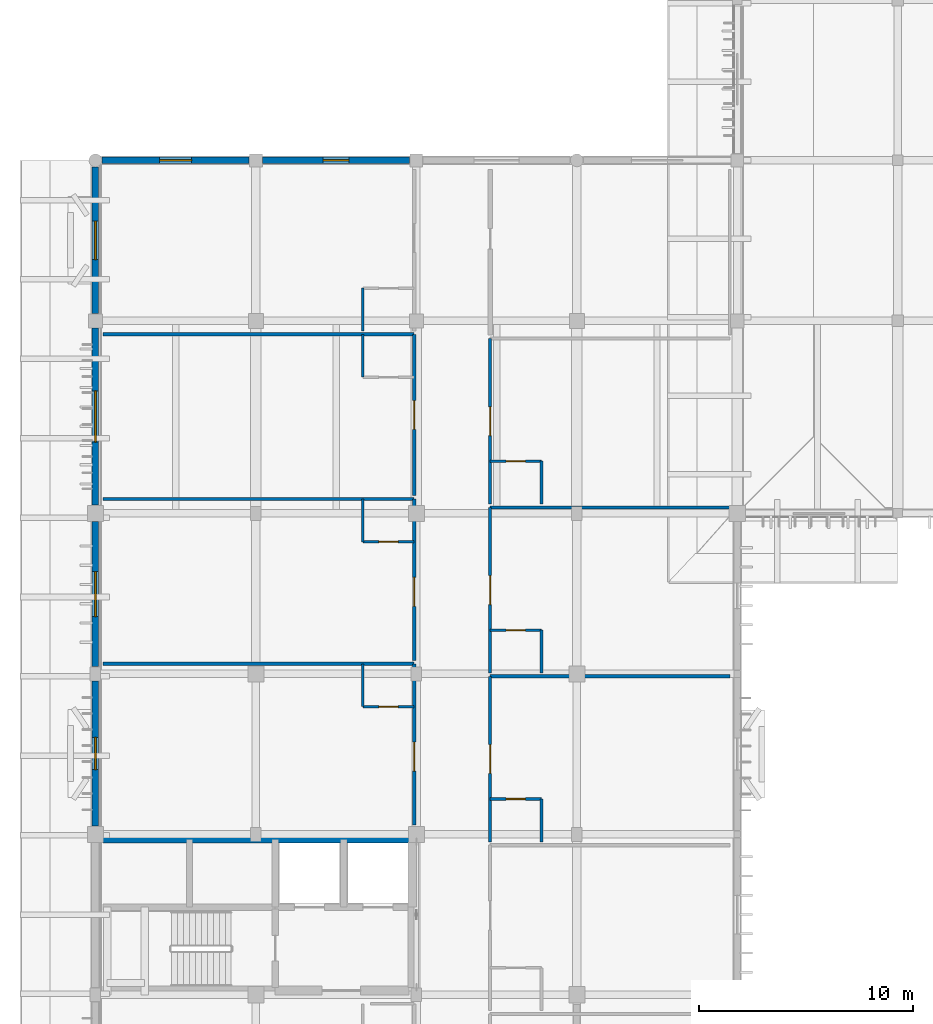
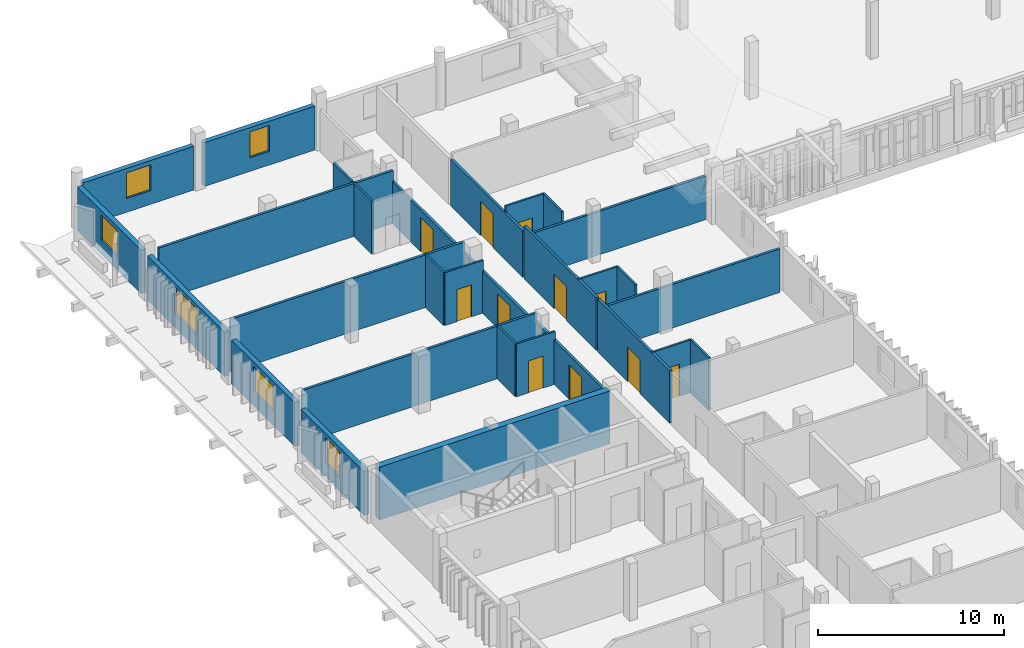
# One storey, part 20 of 43: 30 walls, 11 doors, 6 windows, 17 openings.
"""IFC4 building model written with IfcOpenShell, lengths in metres."""

from ifc_helpers import new_model, si_unit, direction, frame, frame_2d, origin, place, context, subcontext, project, spatial, rectangle, extrude, material, layer, layer_set, type_object, element, fill, save


model = new_model("IFC4")

# Units and contexts
model_context = context("Model", 3, precision=1e-05, world=origin(), true_north=direction((0.0, 1.0)))
body_context = subcontext(model_context, "Body", "Model", "MODEL_VIEW")
ifc_project = project(units=[si_unit("LENGTHUNIT", "METRE"), si_unit("AREAUNIT", "SQUARE_METRE"), si_unit("VOLUMEUNIT", "CUBIC_METRE"), si_unit("PLANEANGLEUNIT", "RADIAN"), si_unit("MASSUNIT", "GRAM", prefix="KILO")], contexts=[model_context])

# Site, building, storey
site_placement = place(None, origin())
site = spatial("IfcSite", under=ifc_project, at=site_placement, CompositionType="ELEMENT")
building_placement = place(site_placement, origin())
building = spatial("IfcBuilding", under=site, at=building_placement, Name="Dalvernix Boulevard General Hospital", CompositionType="ELEMENT")
storey_placement = place(building_placement, frame((0.0, 0.0, 14.10009765625)))
storey = spatial("IfcBuildingStorey", under=building, at=storey_placement, Name="L03", CompositionType="ELEMENT", Elevation=14.10009765625)

# Wall
ifc_material_1 = material(Name="Concrete C40/50", Category="concrete")
ifc_layer_1 = layer(ifc_material_1, 0.39990234375)
ifc_layer_set_1 = layer_set([ifc_layer_1], Name="Concrete C40/50 (WAL-CSW-01)")
wall_type_1 = type_object("IfcWallType", Name="WAL-CSW-01", PredefinedType="SHEAR", material=ifc_layer_set_1)
wall_1_placement = place(storey_placement, frame((0.35009765625, 61.300048828125, 0.0), z_axis=(0.0, 0.0, 1.0), x_axis=(1.0, 0.0, 0.0)))
element("IfcWall", 1, at=wall_1_placement, inside=storey, type_object=wall_type_1, Name="L03 C2 north shaft core wall", PredefinedType="SHEAR", context=body_context, shape_type="SweptSolid", body=[
    extrude(rectangle(XDim=14.2998046875, YDim=0.39990234375, at=frame_2d((7.14990234375, 0.0))), origin(), (0.0, 0.0, 1.0), 3.469970703125),
])

# Wall, opening, window
ifc_material_2 = material(Name="Pressed Catalan clay brick and ceramic spandrel wall C35/45", Category="masonry")
ifc_layer_2 = layer(ifc_material_2, 0.300048828125)
ifc_layer_set_2 = layer_set([ifc_layer_2], Name="Pressed Catalan clay brick and ceramic spandrel wall C35/45 (WAL-EW-02)")
wall_type_2 = type_object("IfcWallType", Name="WAL-EW-02", PredefinedType="STANDARD", material=ifc_layer_set_2)
wall_2_placement = place(storey_placement, frame((0.0, 61.885009765625, 0.0), z_axis=(0.0, 0.0, 1.0), x_axis=(0.0, 1.0, 0.0)))
wall_2 = element("IfcWall", 2, at=wall_2_placement, inside=storey, type_object=wall_type_2, Name="L03 Catalan brick external wall W 0-8", PredefinedType="STANDARD", context=body_context, shape_type="SweptSolid", body=[
    extrude(rectangle(XDim=6.780029296875, YDim=0.300048828125, at=frame_2d((3.39013671875, 0.0))), origin(), (0.0, 0.0, 1.0), 2.869873046875),
])
opening_1_placement = place(wall_2_placement, frame((2.639892578125, 0.0, 0.89990234375)))
opening_1 = element("IfcOpeningElement", 3, at=opening_1_placement, cuts=wall_2, Name="Opening WN-02", PredefinedType="OPENING", context=body_context, shape_type="SweptSolid", body=[
    extrude(rectangle(XDim=1.5, YDim=1.68994140625, at=frame_2d((0.75, 0.844970703125))), frame((0.0, 0.159912109375, 0.0), z_axis=(0.0, -1.0, 0.0), x_axis=(1.0, 0.0, 0.0)), (0.0, 0.0, 1.0), 0.320068359375),
])
ifc_material_3 = material(Name="Thermally broken aluminium frame with solar-control double glazing", Category="aluminium")
window_type_1 = type_object("IfcWindowType", Name="WIN-WN-02", PartitioningType="SINGLE_PANEL", PredefinedType="WINDOW", material=ifc_material_3)
window_1_placement = place(opening_1_placement, origin())
window_1 = element("IfcWindow", 4, at=window_1_placement, inside=storey, type_object=window_type_1, Name="L03 clinical window WN-02 W 0-8", OverallHeight=1.68994140625, OverallWidth=1.5, PartitioningType="SINGLE_PANEL", PredefinedType="WINDOW", context=body_context, shape_type="SweptSolid", body=[
    extrude(rectangle(XDim=1.5, YDim=1.68994140625, at=frame_2d((0.75, 0.844970703125))), frame((0.0, 0.030029296875, 0.0), z_axis=(0.0, -1.0, 0.0), x_axis=(1.0, 0.0, 0.0)), (0.0, 0.0, 1.0), 0.06005859375),
])
fill(opening_1, window_1)

wall_3_placement = place(storey_placement, frame((0.0, 69.3349609375, 0.0), z_axis=(0.0, 0.0, 1.0), x_axis=(0.0, 1.0, 0.0)))
wall_3 = element("IfcWall", 5, at=wall_3_placement, inside=storey, type_object=wall_type_2, Name="L03 Catalan brick external wall W 0-9", PredefinedType="STANDARD", context=body_context, shape_type="SweptSolid", body=[
    extrude(rectangle(XDim=6.780029296875, YDim=0.300048828125, at=frame_2d((3.39013671875, 0.0))), origin(), (0.0, 0.0, 1.0), 2.869873046875),
])
opening_2_placement = place(wall_3_placement, frame((2.340087890625, 0.0, 0.89990234375)))
opening_2 = element("IfcOpeningElement", 6, at=opening_2_placement, cuts=wall_3, Name="Opening WN-03", PredefinedType="OPENING", context=body_context, shape_type="SweptSolid", body=[
    extrude(rectangle(XDim=2.10009765625, YDim=1.68994140625, at=frame_2d((1.050048828125, 0.844970703125))), frame((0.0, 0.159912109375, 0.0), z_axis=(0.0, -1.0, 0.0), x_axis=(1.0, 0.0, 0.0)), (0.0, 0.0, 1.0), 0.320068359375),
])
window_type_2 = type_object("IfcWindowType", Name="WIN-WN-03", PartitioningType="SINGLE_PANEL", PredefinedType="WINDOW", material=ifc_material_3)
window_2_placement = place(opening_2_placement, origin())
window_2 = element("IfcWindow", 7, at=window_2_placement, inside=storey, type_object=window_type_2, Name="L03 clinical window WN-03 W 0-9", OverallHeight=1.68994140625, OverallWidth=2.10009765625, PartitioningType="SINGLE_PANEL", PredefinedType="WINDOW", context=body_context, shape_type="SweptSolid", body=[
    extrude(rectangle(XDim=2.10009765625, YDim=1.68994140625, at=frame_2d((1.050048828125, 0.844970703125))), frame((0.0, 0.030029296875, 0.0), z_axis=(0.0, -1.0, 0.0), x_axis=(1.0, 0.0, 0.0)), (0.0, 0.0, 1.0), 0.06005859375),
])
fill(opening_2, window_2)

wall_4_placement = place(storey_placement, frame((0.0, 76.885009765625, 0.0), z_axis=(0.0, 0.0, 1.0), x_axis=(0.0, 1.0, 0.0)))
wall_4 = element("IfcWall", 8, at=wall_4_placement, inside=storey, type_object=wall_type_2, Name="L03 Catalan brick external wall W 0-10", PredefinedType="STANDARD", context=body_context, shape_type="SweptSolid", body=[
    extrude(rectangle(XDim=8.280029296875, YDim=0.300048828125, at=frame_2d((4.14013671875, 0.0))), origin(), (0.0, 0.0, 1.0), 2.919921875),
])
opening_3_placement = place(wall_4_placement, frame((2.93994140625, 0.0, 0.89990234375)))
opening_3 = element("IfcOpeningElement", 9, at=opening_3_placement, cuts=wall_4, Name="Opening WN-04", PredefinedType="OPENING", context=body_context, shape_type="SweptSolid", body=[
    extrude(rectangle(XDim=2.39990234375, YDim=1.739990234375, at=frame_2d((1.199951171875, 0.8701171875))), frame((0.0, 0.159912109375, 0.0), z_axis=(0.0, -1.0, 0.0), x_axis=(1.0, 0.0, 0.0)), (0.0, 0.0, 1.0), 0.320068359375),
])
window_type_3 = type_object("IfcWindowType", Name="WIN-WN-04", PartitioningType="SINGLE_PANEL", PredefinedType="WINDOW", material=ifc_material_3)
window_3_placement = place(opening_3_placement, origin())
window_3 = element("IfcWindow", 10, at=window_3_placement, inside=storey, type_object=window_type_3, Name="L03 clinical window WN-04 W 0-10", OverallHeight=1.739990234375, OverallWidth=2.39990234375, PartitioningType="SINGLE_PANEL", PredefinedType="WINDOW", context=body_context, shape_type="SweptSolid", body=[
    extrude(rectangle(XDim=2.39990234375, YDim=1.739990234375, at=frame_2d((1.199951171875, 0.8701171875))), frame((0.0, 0.030029296875, 0.0), z_axis=(0.0, -1.0, 0.0), x_axis=(1.0, 0.0, 0.0)), (0.0, 0.0, 1.0), 0.06005859375),
])
fill(opening_3, window_3)

wall_5_placement = place(storey_placement, frame((0.31005859375, 93.0, 0.0), z_axis=(0.0, 0.0, 1.0), x_axis=(1.0, 0.0, 0.0)))
wall_5 = element("IfcWall", 11, at=wall_5_placement, inside=storey, type_object=wall_type_2, Name="L03 Catalan brick external wall N 0-12", PredefinedType="STANDARD", context=body_context, shape_type="SweptSolid", body=[
    extrude(rectangle(XDim=6.8798828125, YDim=0.300048828125, at=frame_2d((3.43994140625, 0.0))), origin(), (0.0, 0.0, 1.0), 2.869873046875),
])
opening_4_placement = place(wall_5_placement, frame((2.68994140625, 0.0, 0.89990234375)))
opening_4 = element("IfcOpeningElement", 12, at=opening_4_placement, cuts=wall_5, Name="Opening WN-06", PredefinedType="OPENING", context=body_context, shape_type="SweptSolid", body=[
    extrude(rectangle(XDim=1.5, YDim=1.68994140625, at=frame_2d((0.75, 0.844970703125))), frame((0.0, 0.159912109375, 0.0), z_axis=(0.0, -1.0, 0.0), x_axis=(1.0, 0.0, 0.0)), (0.0, 0.0, 1.0), 0.320068359375),
])
window_type_4 = type_object("IfcWindowType", Name="WIN-WN-06", PartitioningType="SINGLE_PANEL", PredefinedType="WINDOW", material=ifc_material_3)
window_4_placement = place(opening_4_placement, origin())
window_4 = element("IfcWindow", 13, at=window_4_placement, inside=storey, type_object=window_type_4, Name="L03 clinical window WN-06 N 0-12", OverallHeight=1.68994140625, OverallWidth=1.5, PartitioningType="SINGLE_PANEL", PredefinedType="WINDOW", context=body_context, shape_type="SweptSolid", body=[
    extrude(rectangle(XDim=1.5, YDim=1.68994140625, at=frame_2d((0.75, 0.844970703125))), frame((0.0, 0.030029296875, 0.0), z_axis=(0.0, -1.0, 0.0), x_axis=(1.0, 0.0, 0.0)), (0.0, 0.0, 1.0), 0.06005859375),
])
fill(opening_4, window_4)

wall_6_placement = place(storey_placement, frame((0.0, 85.8349609375, 0.0), z_axis=(0.0, 0.0, 1.0), x_axis=(0.0, 1.0, 0.0)))
wall_6 = element("IfcWall", 14, at=wall_6_placement, inside=storey, type_object=wall_type_2, Name="L03 Catalan brick external wall W 0-11", PredefinedType="STANDARD", context=body_context, shape_type="SweptSolid", body=[
    extrude(rectangle(XDim=6.85498046875, YDim=0.300048828125, at=frame_2d((3.427490234375, 0.0))), origin(), (0.0, 0.0, 1.0), 2.869873046875),
])
opening_5_placement = place(wall_6_placement, frame((2.527587890625, 0.0, 0.89990234375)))
opening_5 = element("IfcOpeningElement", 15, at=opening_5_placement, cuts=wall_6, Name="Opening WN-05", PredefinedType="OPENING", context=body_context, shape_type="SweptSolid", body=[
    extrude(rectangle(XDim=1.800048828125, YDim=1.68994140625, at=frame_2d((0.89990234375, 0.844970703125))), frame((0.0, 0.159912109375, 0.0), z_axis=(0.0, -1.0, 0.0), x_axis=(1.0, 0.0, 0.0)), (0.0, 0.0, 1.0), 0.320068359375),
])
window_type_5 = type_object("IfcWindowType", Name="WIN-WN-05", PartitioningType="SINGLE_PANEL", PredefinedType="WINDOW", material=ifc_material_3)
window_5_placement = place(opening_5_placement, origin())
window_5 = element("IfcWindow", 16, at=window_5_placement, inside=storey, type_object=window_type_5, Name="L03 clinical window WN-05 W 0-11", OverallHeight=1.68994140625, OverallWidth=1.800048828125, PartitioningType="SINGLE_PANEL", PredefinedType="WINDOW", context=body_context, shape_type="SweptSolid", body=[
    extrude(rectangle(XDim=1.800048828125, YDim=1.68994140625, at=frame_2d((0.89990234375, 0.844970703125))), frame((0.0, 0.030029296875, 0.0), z_axis=(0.0, -1.0, 0.0), x_axis=(1.0, 0.0, 0.0)), (0.0, 0.0, 1.0), 0.06005859375),
])
fill(opening_5, window_5)

wall_7_placement = place(storey_placement, frame((7.81005859375, 93.0, 0.0), z_axis=(0.0, 0.0, 1.0), x_axis=(1.0, 0.0, 0.0)))
wall_7 = element("IfcWall", 17, at=wall_7_placement, inside=storey, type_object=wall_type_2, Name="L03 Catalan brick external wall N 1-12", PredefinedType="STANDARD", context=body_context, shape_type="SweptSolid", body=[
    extrude(rectangle(XDim=6.8798828125, YDim=0.300048828125, at=frame_2d((3.43994140625, 0.0))), origin(), (0.0, 0.0, 1.0), 2.869873046875),
])
opening_6_placement = place(wall_7_placement, frame((2.840087890625, 0.0, 0.89990234375)))
opening_6 = element("IfcOpeningElement", 18, at=opening_6_placement, cuts=wall_7, Name="Opening WN-07", PredefinedType="OPENING", context=body_context, shape_type="SweptSolid", body=[
    extrude(rectangle(XDim=1.199951171875, YDim=1.68994140625, at=frame_2d((0.60009765625, 0.844970703125))), frame((0.0, 0.159912109375, 0.0), z_axis=(0.0, -1.0, 0.0), x_axis=(1.0, 0.0, 0.0)), (0.0, 0.0, 1.0), 0.320068359375),
])
window_type_6 = type_object("IfcWindowType", Name="WIN-WN-07", PartitioningType="SINGLE_PANEL", PredefinedType="WINDOW", material=ifc_material_3)
window_6_placement = place(opening_6_placement, origin())
window_6 = element("IfcWindow", 19, at=window_6_placement, inside=storey, type_object=window_type_6, Name="L03 clinical window WN-07 N 1-12", OverallHeight=1.68994140625, OverallWidth=1.199951171875, PartitioningType="SINGLE_PANEL", PredefinedType="WINDOW", context=body_context, shape_type="SweptSolid", body=[
    extrude(rectangle(XDim=1.199951171875, YDim=1.68994140625, at=frame_2d((0.60009765625, 0.844970703125))), frame((0.0, 0.030029296875, 0.0), z_axis=(0.0, -1.0, 0.0), x_axis=(1.0, 0.0, 0.0)), (0.0, 0.0, 1.0), 0.06005859375),
])
fill(opening_6, window_6)

# Wall, opening, door
ifc_material_4 = material(Name="Acoustic double-stud gypsum inpatient partition")
ifc_layer_3 = layer(ifc_material_4, 0.14990234375)
ifc_layer_set_3 = layer_set([ifc_layer_3], Name="Acoustic double-stud gypsum inpatient partition (WAL-IW-04)")
wall_type_3 = type_object("IfcWallType", Name="WAL-IW-04", PredefinedType="PARTITIONING", material=ifc_layer_set_3)
wall_8_placement = place(storey_placement, frame((14.89990234375, 61.929931640625, 0.0), z_axis=(0.0, 0.0, 1.0), x_axis=(0.0, 1.0, 0.0)))
wall_8 = element("IfcWall", 20, at=wall_8_placement, inside=storey, type_object=wall_type_3, Name="L03 Cardiology Step-Down Patient Room L03-W08 corridor wall", PredefinedType="PARTITIONING", context=body_context, shape_type="SweptSolid", body=[
    extrude(rectangle(XDim=7.5400390625, YDim=0.14990234375, at=frame_2d((3.77001953125, 0.0))), origin(), (0.0, 0.0, 1.0), 2.90478515625),
])
opening_7_placement = place(wall_8_placement, frame((2.52587890625, 0.0, 0.0)))
opening_7 = element("IfcOpeningElement", 21, at=opening_7_placement, cuts=wall_8, Name="Opening ID-01", PredefinedType="OPENING", context=body_context, shape_type="SweptSolid", body=[
    extrude(rectangle(XDim=1.35009765625, YDim=2.25, at=frame_2d((0.675048828125, 1.125))), frame((0.0, 0.0849609375, 0.0), z_axis=(0.0, -1.0, 0.0), x_axis=(1.0, 0.0, 0.0)), (0.0, 0.0, 1.0), 0.169921875),
])
ifc_material_5 = material(Name="Hospital laminate acoustic timber and steel frame", Category="steel")
door_type_1 = type_object("IfcDoorType", Name="DR-ID-01", OperationType="NOTDEFINED", PredefinedType="DOOR", material=ifc_material_5)
door_1_placement = place(opening_7_placement, origin())
door_1 = element("IfcDoor", 22, at=door_1_placement, inside=storey, type_object=door_type_1, Name="L03 Cardiology Step-Down Patient Room L03-W08 door", OperationType="SINGLE_SWING_RIGHT", OverallHeight=2.25, OverallWidth=1.35009765625, PredefinedType="DOOR", context=body_context, shape_type="SweptSolid", body=[
    extrude(rectangle(XDim=1.35009765625, YDim=2.25, at=frame_2d((0.675048828125, 1.125))), frame((0.0, 0.02490234375, 0.0), z_axis=(0.0, -1.0, 0.0), x_axis=(1.0, 0.0, 0.0)), (0.0, 0.0, 1.0), 0.050048828125),
])
fill(opening_7, door_1)

wall_9_placement = place(storey_placement, frame((14.89990234375, 69.6298828125, 0.0), z_axis=(0.0, 0.0, 1.0), x_axis=(0.0, 1.0, 0.0)))
wall_9 = element("IfcWall", 23, at=wall_9_placement, inside=storey, type_object=wall_type_3, Name="L03 Telemetry Ward Bay L03-W09 corridor wall", PredefinedType="PARTITIONING", context=body_context, shape_type="SweptSolid", body=[
    extrude(rectangle(XDim=7.5400390625, YDim=0.14990234375, at=frame_2d((3.77001953125, 0.0))), origin(), (0.0, 0.0, 1.0), 2.7548828125),
])
opening_8_placement = place(wall_9_placement, frame((2.52587890625, 0.0, 0.0)))
opening_8 = element("IfcOpeningElement", 24, at=opening_8_placement, cuts=wall_9, Name="Opening ID-01", PredefinedType="OPENING", context=body_context, shape_type="SweptSolid", body=[
    extrude(rectangle(XDim=1.35009765625, YDim=2.25, at=frame_2d((0.675048828125, 1.125))), frame((0.0, 0.0849609375, 0.0), z_axis=(0.0, -1.0, 0.0), x_axis=(1.0, 0.0, 0.0)), (0.0, 0.0, 1.0), 0.169921875),
])
door_2_placement = place(opening_8_placement, origin())
door_2 = element("IfcDoor", 25, at=door_2_placement, inside=storey, type_object=door_type_1, Name="L03 Telemetry Ward Bay L03-W09 door", OperationType="SINGLE_SWING_RIGHT", OverallHeight=2.25, OverallWidth=1.35009765625, PredefinedType="DOOR", context=body_context, shape_type="SweptSolid", body=[
    extrude(rectangle(XDim=1.35009765625, YDim=2.25, at=frame_2d((0.675048828125, 1.125))), frame((0.0, 0.02490234375, 0.0), z_axis=(0.0, -1.0, 0.0), x_axis=(1.0, 0.0, 0.0)), (0.0, 0.0, 1.0), 0.050048828125),
])
fill(opening_8, door_2)

wall_10_placement = place(storey_placement, frame((14.89990234375, 77.330078125, 0.0), z_axis=(0.0, 0.0, 1.0), x_axis=(0.0, 1.0, 0.0)))
wall_10 = element("IfcWall", 26, at=wall_10_placement, inside=storey, type_object=wall_type_3, Name="L03 Cardiology Step-Down Patient Room L03-W10 corridor wall", PredefinedType="PARTITIONING", context=body_context, shape_type="SweptSolid", body=[
    extrude(rectangle(XDim=7.5400390625, YDim=0.14990234375, at=frame_2d((3.77001953125, 0.0))), origin(), (0.0, 0.0, 1.0), 2.7548828125),
])
opening_9_placement = place(wall_10_placement, frame((3.094970703125, 0.0, 0.0)))
opening_9 = element("IfcOpeningElement", 27, at=opening_9_placement, cuts=wall_10, Name="Opening ID-01", PredefinedType="OPENING", context=body_context, shape_type="SweptSolid", body=[
    extrude(rectangle(XDim=1.35009765625, YDim=2.25, at=frame_2d((0.675048828125, 1.125))), frame((0.0, 0.0849609375, 0.0), z_axis=(0.0, -1.0, 0.0), x_axis=(1.0, 0.0, 0.0)), (0.0, 0.0, 1.0), 0.169921875),
])
door_3_placement = place(opening_9_placement, origin())
door_3 = element("IfcDoor", 28, at=door_3_placement, inside=storey, type_object=door_type_1, Name="L03 Cardiology Step-Down Patient Room L03-W10 door", OperationType="SINGLE_SWING_RIGHT", OverallHeight=2.25, OverallWidth=1.35009765625, PredefinedType="DOOR", context=body_context, shape_type="SweptSolid", body=[
    extrude(rectangle(XDim=1.35009765625, YDim=2.25, at=frame_2d((0.675048828125, 1.125))), frame((0.0, 0.02490234375, 0.0), z_axis=(0.0, -1.0, 0.0), x_axis=(1.0, 0.0, 0.0)), (0.0, 0.0, 1.0), 0.050048828125),
])
fill(opening_9, door_3)

wall_11_placement = place(storey_placement, frame((18.449951171875, 68.885009765625, 0.0), z_axis=(0.0, 0.0, 1.0), x_axis=(0.0, -1.0, 0.0)))
wall_11 = element("IfcWall", 29, at=wall_11_placement, inside=storey, type_object=wall_type_3, Name="L03 Single Patient Room L03-E06 corridor wall", PredefinedType="PARTITIONING", context=body_context, shape_type="SweptSolid", body=[
    extrude(rectangle(XDim=7.735107421875, YDim=0.14990234375, at=frame_2d((3.86767578125, 0.0))), origin(), (0.0, 0.0, 1.0), 3.454833984375),
])
opening_10_placement = place(wall_11_placement, frame((3.1923828125, 0.0, 0.0)))
opening_10 = element("IfcOpeningElement", 30, at=opening_10_placement, cuts=wall_11, Name="Opening ID-01", PredefinedType="OPENING", context=body_context, shape_type="SweptSolid", body=[
    extrude(rectangle(XDim=1.35009765625, YDim=2.25, at=frame_2d((0.675048828125, 1.125))), frame((0.0, 0.0849609375, 0.0), z_axis=(0.0, -1.0, 0.0), x_axis=(1.0, 0.0, 0.0)), (0.0, 0.0, 1.0), 0.169921875),
])
door_4_placement = place(opening_10_placement, origin())
door_4 = element("IfcDoor", 31, at=door_4_placement, inside=storey, type_object=door_type_1, Name="L03 Single Patient Room L03-E06 door", OperationType="SINGLE_SWING_LEFT", OverallHeight=2.25, OverallWidth=1.35009765625, PredefinedType="DOOR", context=body_context, shape_type="SweptSolid", body=[
    extrude(rectangle(XDim=1.35009765625, YDim=2.25, at=frame_2d((0.675048828125, 1.125))), frame((0.0, 0.02490234375, 0.0), z_axis=(0.0, -1.0, 0.0), x_axis=(1.0, 0.0, 0.0)), (0.0, 0.0, 1.0), 0.050048828125),
])
fill(opening_10, door_4)

wall_12_placement = place(storey_placement, frame((18.449951171875, 76.780029296875, 0.0), z_axis=(0.0, 0.0, 1.0), x_axis=(0.0, -1.0, 0.0)))
wall_12 = element("IfcWall", 32, at=wall_12_placement, inside=storey, type_object=wall_type_3, Name="L03 Single Patient Room L03-E07 corridor wall", PredefinedType="PARTITIONING", context=body_context, shape_type="SweptSolid", body=[
    extrude(rectangle(XDim=7.735107421875, YDim=0.14990234375, at=frame_2d((3.86767578125, 0.0))), origin(), (0.0, 0.0, 1.0), 3.454833984375),
])
opening_11_placement = place(wall_12_placement, frame((3.1923828125, 0.0, 0.0)))
opening_11 = element("IfcOpeningElement", 33, at=opening_11_placement, cuts=wall_12, Name="Opening ID-01", PredefinedType="OPENING", context=body_context, shape_type="SweptSolid", body=[
    extrude(rectangle(XDim=1.35009765625, YDim=2.25, at=frame_2d((0.675048828125, 1.125))), frame((0.0, 0.0849609375, 0.0), z_axis=(0.0, -1.0, 0.0), x_axis=(1.0, 0.0, 0.0)), (0.0, 0.0, 1.0), 0.169921875),
])
door_5_placement = place(opening_11_placement, origin())
door_5 = element("IfcDoor", 34, at=door_5_placement, inside=storey, type_object=door_type_1, Name="L03 Single Patient Room L03-E07 door", OperationType="SINGLE_SWING_LEFT", OverallHeight=2.25, OverallWidth=1.35009765625, PredefinedType="DOOR", context=body_context, shape_type="SweptSolid", body=[
    extrude(rectangle(XDim=1.35009765625, YDim=2.25, at=frame_2d((0.675048828125, 1.125))), frame((0.0, 0.02490234375, 0.0), z_axis=(0.0, -1.0, 0.0), x_axis=(1.0, 0.0, 0.0)), (0.0, 0.0, 1.0), 0.050048828125),
])
fill(opening_11, door_5)

wall_13_placement = place(storey_placement, frame((18.449951171875, 84.675048828125, 0.0), z_axis=(0.0, 0.0, 1.0), x_axis=(0.0, -1.0, 0.0)))
wall_13 = element("IfcWall", 35, at=wall_13_placement, inside=storey, type_object=wall_type_3, Name="L03 Single Patient Room L03-E08 corridor wall", PredefinedType="PARTITIONING", context=body_context, shape_type="SweptSolid", body=[
    extrude(rectangle(XDim=7.735107421875, YDim=0.14990234375, at=frame_2d((3.86767578125, 0.0))), origin(), (0.0, 0.0, 1.0), 3.054931640625),
])
opening_12_placement = place(wall_13_placement, frame((3.1923828125, 0.0, 0.0)))
opening_12 = element("IfcOpeningElement", 36, at=opening_12_placement, cuts=wall_13, Name="Opening ID-01", PredefinedType="OPENING", context=body_context, shape_type="SweptSolid", body=[
    extrude(rectangle(XDim=1.35009765625, YDim=2.25, at=frame_2d((0.675048828125, 1.125))), frame((0.0, 0.0849609375, 0.0), z_axis=(0.0, -1.0, 0.0), x_axis=(1.0, 0.0, 0.0)), (0.0, 0.0, 1.0), 0.169921875),
])
door_6_placement = place(opening_12_placement, origin())
door_6 = element("IfcDoor", 37, at=door_6_placement, inside=storey, type_object=door_type_1, Name="L03 Single Patient Room L03-E08 door", OperationType="SINGLE_SWING_LEFT", OverallHeight=2.25, OverallWidth=1.35009765625, PredefinedType="DOOR", context=body_context, shape_type="SweptSolid", body=[
    extrude(rectangle(XDim=1.35009765625, YDim=2.25, at=frame_2d((0.675048828125, 1.125))), frame((0.0, 0.02490234375, 0.0), z_axis=(0.0, -1.0, 0.0), x_axis=(1.0, 0.0, 0.0)), (0.0, 0.0, 1.0), 0.050048828125),
])
fill(opening_12, door_6)

# Walls
for number, where, z_axis, x_axis, name in (
    (38, (0.35009765625, 69.469970703125, 0.0), (0.0, 0.0, 1.0), (1.0, 0.0, 0.0), "L03 Cardiology Step-Down Patient Room L03-W08 partition"),
    (39, (0.35009765625, 77.169921875, 0.0), (0.0, 0.0, 1.0), (1.0, 0.0, 0.0), "L03 Telemetry Ward Bay L03-W09 partition"),
    (40, (0.35009765625, 84.8701171875, 0.0), (0.0, 0.0, 1.0), (1.0, 0.0, 0.0), "L03 Cardiology Step-Down Patient Room L03-W10 partition"),
):
    element("IfcWall", number, at=place(storey_placement, frame(where, z_axis=z_axis, x_axis=x_axis)), inside=storey, type_object=wall_type_3, Name=name, PredefinedType="PARTITIONING", context=body_context, shape_type="SweptSolid", body=[
        extrude(rectangle(XDim=14.5498046875, YDim=0.14990234375, at=frame_2d((7.27490234375, 0.0))), origin(), (0.0, 0.0, 1.0), 3.454833984375),
    ])
for number, where, z_axis, x_axis, name in (
    (41, (18.449951171875, 68.885009765625, 0.0), (0.0, 0.0, 1.0), (1.0, 0.0, 0.0), "L03 Single Patient Room L03-E06 partition"),
    (42, (18.449951171875, 76.780029296875, 0.0), (0.0, 0.0, 1.0), (1.0, 0.0, 0.0), "L03 Single Patient Room L03-E07 partition"),
):
    element("IfcWall", number, at=place(storey_placement, frame(where, z_axis=z_axis, x_axis=x_axis)), inside=storey, type_object=wall_type_3, Name=name, PredefinedType="PARTITIONING", context=body_context, shape_type="SweptSolid", body=[
        extrude(rectangle(XDim=11.199951171875, YDim=0.14990234375, at=frame_2d((5.60009765625, 0.0))), origin(), (0.0, 0.0, 1.0), 2.85498046875),
    ])

# Wall, opening, door
ifc_material_6 = material(Name="Moisture-resistant en-suite bathroom partition")
ifc_layer_4 = layer(ifc_material_6, 0.1201171875)
ifc_layer_set_4 = layer_set([ifc_layer_4], Name="Moisture-resistant en-suite bathroom partition (WAL-IW-05)")
wall_type_4 = type_object("IfcWallType", Name="WAL-IW-05", PredefinedType="PARTITIONING", material=ifc_layer_set_4)
wall_14_placement = place(storey_placement, frame((12.5, 67.469970703125, 0.0), z_axis=(0.0, 0.0, 1.0), x_axis=(1.0, 0.0, 0.0)))
wall_14 = element("IfcWall", 43, at=wall_14_placement, inside=storey, type_object=wall_type_4, Name="L03 en-suite bathroom door wall", PredefinedType="PARTITIONING", context=body_context, shape_type="SweptSolid", body=[
    extrude(rectangle(XDim=2.39990234375, YDim=0.1201171875, at=frame_2d((1.199951171875, 0.0))), origin(), (0.0, 0.0, 1.0), 3.454833984375),
])
opening_13_placement = place(wall_14_placement, frame((0.75, 0.0, 0.0)))
opening_13 = element("IfcOpeningElement", 44, at=opening_13_placement, cuts=wall_14, Name="Opening ID-05", PredefinedType="OPENING", context=body_context, shape_type="SweptSolid", body=[
    extrude(rectangle(XDim=0.89990234375, YDim=2.10009765625, at=frame_2d((0.449951171875, 1.050048828125))), frame((0.0, 0.070068359375, 0.0), z_axis=(0.0, -1.0, 0.0), x_axis=(1.0, 0.0, 0.0)), (0.0, 0.0, 1.0), 0.14013671875),
])
door_type_2 = type_object("IfcDoorType", Name="DR-ID-05", OperationType="NOTDEFINED", PredefinedType="DOOR", material=ifc_material_5)
door_7_placement = place(opening_13_placement, origin())
door_7 = element("IfcDoor", 45, at=door_7_placement, inside=storey, type_object=door_type_2, Name="L03 L03-WRD-W08 en-suite bathroom door", OperationType="SINGLE_SWING_LEFT", OverallHeight=2.10009765625, OverallWidth=0.89990234375, PredefinedType="DOOR", context=body_context, shape_type="SweptSolid", body=[
    extrude(rectangle(XDim=0.89990234375, YDim=2.10009765625, at=frame_2d((0.449951171875, 1.050048828125))), frame((0.0, 0.02490234375, 0.0), z_axis=(0.0, -1.0, 0.0), x_axis=(1.0, 0.0, 0.0)), (0.0, 0.0, 1.0), 0.050048828125),
])
fill(opening_13, door_7)

# Wall
wall_15_placement = place(storey_placement, frame((12.5, 67.469970703125, 0.0), z_axis=(0.0, 0.0, 1.0), x_axis=(0.0, 1.0, 0.0)))
element("IfcWall", 46, at=wall_15_placement, inside=storey, type_object=wall_type_4, Name="L03 en-suite bathroom side wall", PredefinedType="PARTITIONING", context=body_context, shape_type="SweptSolid", body=[
    extrude(rectangle(XDim=2.0, YDim=0.1201171875, at=frame_2d((1.0, 0.0))), origin(), (0.0, 0.0, 1.0), 3.454833984375),
])

# Wall, opening, door
wall_16_placement = place(storey_placement, frame((12.5, 75.169921875, 0.0), z_axis=(0.0, 0.0, 1.0), x_axis=(1.0, 0.0, 0.0)))
wall_16 = element("IfcWall", 47, at=wall_16_placement, inside=storey, type_object=wall_type_4, Name="L03 en-suite bathroom door wall", PredefinedType="PARTITIONING", context=body_context, shape_type="SweptSolid", body=[
    extrude(rectangle(XDim=2.39990234375, YDim=0.1201171875, at=frame_2d((1.199951171875, 0.0))), origin(), (0.0, 0.0, 1.0), 3.454833984375),
])
opening_14_placement = place(wall_16_placement, frame((0.75, 0.0, 0.0)))
opening_14 = element("IfcOpeningElement", 48, at=opening_14_placement, cuts=wall_16, Name="Opening ID-05", PredefinedType="OPENING", context=body_context, shape_type="SweptSolid", body=[
    extrude(rectangle(XDim=0.89990234375, YDim=2.10009765625, at=frame_2d((0.449951171875, 1.050048828125))), frame((0.0, 0.070068359375, 0.0), z_axis=(0.0, -1.0, 0.0), x_axis=(1.0, 0.0, 0.0)), (0.0, 0.0, 1.0), 0.14013671875),
])
door_8_placement = place(opening_14_placement, origin())
door_8 = element("IfcDoor", 49, at=door_8_placement, inside=storey, type_object=door_type_2, Name="L03 L03-WRD-W09 en-suite bathroom door", OperationType="SINGLE_SWING_LEFT", OverallHeight=2.10009765625, OverallWidth=0.89990234375, PredefinedType="DOOR", context=body_context, shape_type="SweptSolid", body=[
    extrude(rectangle(XDim=0.89990234375, YDim=2.10009765625, at=frame_2d((0.449951171875, 1.050048828125))), frame((0.0, 0.02490234375, 0.0), z_axis=(0.0, -1.0, 0.0), x_axis=(1.0, 0.0, 0.0)), (0.0, 0.0, 1.0), 0.050048828125),
])
fill(opening_14, door_8)

# Walls
for number, where, z_axis, x_axis, name in (
    (50, (12.5, 75.169921875, 0.0), (0.0, 0.0, 1.0), (0.0, 1.0, 0.0), "L03 en-suite bathroom side wall"),
    (51, (12.5, 82.8701171875, 0.0), (0.0, 0.0, 1.0), (0.0, 1.0, 0.0), "L03 en-suite bathroom side wall"),
    (52, (12.5, 85.030029296875, 0.0), (0.0, 0.0, 1.0), (0.0, 1.0, 0.0), "L03 en-suite bathroom side wall"),
):
    element("IfcWall", number, at=place(storey_placement, frame(where, z_axis=z_axis, x_axis=x_axis)), inside=storey, type_object=wall_type_4, Name=name, PredefinedType="PARTITIONING", context=body_context, shape_type="SweptSolid", body=[
        extrude(rectangle(XDim=2.0, YDim=0.1201171875, at=frame_2d((1.0, 0.0))), origin(), (0.0, 0.0, 1.0), 3.454833984375),
    ])

# Wall, opening, door
wall_17_placement = place(storey_placement, frame((20.85009765625, 63.14990234375, 0.0), z_axis=(0.0, 0.0, 1.0), x_axis=(-1.0, 0.0, 0.0)))
wall_17 = element("IfcWall", 53, at=wall_17_placement, inside=storey, type_object=wall_type_4, Name="L03 en-suite bathroom door wall", PredefinedType="PARTITIONING", context=body_context, shape_type="SweptSolid", body=[
    extrude(rectangle(XDim=2.400146484375, YDim=0.1201171875, at=frame_2d((1.2001953125, 0.0))), origin(), (0.0, 0.0, 1.0), 3.454833984375),
])
opening_15_placement = place(wall_17_placement, frame((0.75, 0.0, 0.0)))
opening_15 = element("IfcOpeningElement", 54, at=opening_15_placement, cuts=wall_17, Name="Opening ID-05", PredefinedType="OPENING", context=body_context, shape_type="SweptSolid", body=[
    extrude(rectangle(XDim=0.89990234375, YDim=2.10009765625, at=frame_2d((0.449951171875, 1.050048828125))), frame((0.0, 0.070068359375, 0.0), z_axis=(0.0, -1.0, 0.0), x_axis=(1.0, 0.0, 0.0)), (0.0, 0.0, 1.0), 0.14013671875),
])
door_9_placement = place(opening_15_placement, origin())
door_9 = element("IfcDoor", 55, at=door_9_placement, inside=storey, type_object=door_type_2, Name="L03 L03-RM-E06 en-suite bathroom door", OperationType="SINGLE_SWING_RIGHT", OverallHeight=2.10009765625, OverallWidth=0.89990234375, PredefinedType="DOOR", context=body_context, shape_type="SweptSolid", body=[
    extrude(rectangle(XDim=0.89990234375, YDim=2.10009765625, at=frame_2d((0.449951171875, 1.050048828125))), frame((0.0, 0.02490234375, 0.0), z_axis=(0.0, -1.0, 0.0), x_axis=(1.0, 0.0, 0.0)), (0.0, 0.0, 1.0), 0.050048828125),
])
fill(opening_15, door_9)

# Wall
wall_18_placement = place(storey_placement, frame((20.85009765625, 61.14990234375, 0.0), z_axis=(0.0, 0.0, 1.0), x_axis=(0.0, 1.0, 0.0)))
element("IfcWall", 56, at=wall_18_placement, inside=storey, type_object=wall_type_4, Name="L03 en-suite bathroom side wall", PredefinedType="PARTITIONING", context=body_context, shape_type="SweptSolid", body=[
    extrude(rectangle(XDim=2.0, YDim=0.1201171875, at=frame_2d((1.0, 0.0))), origin(), (0.0, 0.0, 1.0), 3.454833984375),
])

# Wall, opening, door
wall_19_placement = place(storey_placement, frame((20.85009765625, 71.044921875, 0.0), z_axis=(0.0, 0.0, 1.0), x_axis=(-1.0, 0.0, 0.0)))
wall_19 = element("IfcWall", 57, at=wall_19_placement, inside=storey, type_object=wall_type_4, Name="L03 en-suite bathroom door wall", PredefinedType="PARTITIONING", context=body_context, shape_type="SweptSolid", body=[
    extrude(rectangle(XDim=2.400146484375, YDim=0.1201171875, at=frame_2d((1.2001953125, 0.0))), origin(), (0.0, 0.0, 1.0), 3.454833984375),
])
opening_16_placement = place(wall_19_placement, frame((0.75, 0.0, 0.0)))
opening_16 = element("IfcOpeningElement", 58, at=opening_16_placement, cuts=wall_19, Name="Opening ID-05", PredefinedType="OPENING", context=body_context, shape_type="SweptSolid", body=[
    extrude(rectangle(XDim=0.89990234375, YDim=2.10009765625, at=frame_2d((0.449951171875, 1.050048828125))), frame((0.0, 0.070068359375, 0.0), z_axis=(0.0, -1.0, 0.0), x_axis=(1.0, 0.0, 0.0)), (0.0, 0.0, 1.0), 0.14013671875),
])
door_10_placement = place(opening_16_placement, origin())
door_10 = element("IfcDoor", 59, at=door_10_placement, inside=storey, type_object=door_type_2, Name="L03 L03-RM-E07 en-suite bathroom door", OperationType="SINGLE_SWING_RIGHT", OverallHeight=2.10009765625, OverallWidth=0.89990234375, PredefinedType="DOOR", context=body_context, shape_type="SweptSolid", body=[
    extrude(rectangle(XDim=0.89990234375, YDim=2.10009765625, at=frame_2d((0.449951171875, 1.050048828125))), frame((0.0, 0.02490234375, 0.0), z_axis=(0.0, -1.0, 0.0), x_axis=(1.0, 0.0, 0.0)), (0.0, 0.0, 1.0), 0.050048828125),
])
fill(opening_16, door_10)

# Wall
wall_20_placement = place(storey_placement, frame((20.85009765625, 69.044921875, 0.0), z_axis=(0.0, 0.0, 1.0), x_axis=(0.0, 1.0, 0.0)))
element("IfcWall", 60, at=wall_20_placement, inside=storey, type_object=wall_type_4, Name="L03 en-suite bathroom side wall", PredefinedType="PARTITIONING", context=body_context, shape_type="SweptSolid", body=[
    extrude(rectangle(XDim=2.0, YDim=0.1201171875, at=frame_2d((1.0, 0.0))), origin(), (0.0, 0.0, 1.0), 3.454833984375),
])

# Wall, opening, door
wall_21_placement = place(storey_placement, frame((20.85009765625, 78.93994140625, 0.0), z_axis=(0.0, 0.0, 1.0), x_axis=(-1.0, 0.0, 0.0)))
wall_21 = element("IfcWall", 61, at=wall_21_placement, inside=storey, type_object=wall_type_4, Name="L03 en-suite bathroom door wall", PredefinedType="PARTITIONING", context=body_context, shape_type="SweptSolid", body=[
    extrude(rectangle(XDim=2.400146484375, YDim=0.1201171875, at=frame_2d((1.2001953125, 0.0))), origin(), (0.0, 0.0, 1.0), 3.454833984375),
])
opening_17_placement = place(wall_21_placement, frame((0.75, 0.0, 0.0)))
opening_17 = element("IfcOpeningElement", 62, at=opening_17_placement, cuts=wall_21, Name="Opening ID-05", PredefinedType="OPENING", context=body_context, shape_type="SweptSolid", body=[
    extrude(rectangle(XDim=0.89990234375, YDim=2.10009765625, at=frame_2d((0.449951171875, 1.050048828125))), frame((0.0, 0.070068359375, 0.0), z_axis=(0.0, -1.0, 0.0), x_axis=(1.0, 0.0, 0.0)), (0.0, 0.0, 1.0), 0.14013671875),
])
door_11_placement = place(opening_17_placement, origin())
door_11 = element("IfcDoor", 63, at=door_11_placement, inside=storey, type_object=door_type_2, Name="L03 L03-RM-E08 en-suite bathroom door", OperationType="SINGLE_SWING_RIGHT", OverallHeight=2.10009765625, OverallWidth=0.89990234375, PredefinedType="DOOR", context=body_context, shape_type="SweptSolid", body=[
    extrude(rectangle(XDim=0.89990234375, YDim=2.10009765625, at=frame_2d((0.449951171875, 1.050048828125))), frame((0.0, 0.02490234375, 0.0), z_axis=(0.0, -1.0, 0.0), x_axis=(1.0, 0.0, 0.0)), (0.0, 0.0, 1.0), 0.050048828125),
])
fill(opening_17, door_11)

# Wall
wall_22_placement = place(storey_placement, frame((20.85009765625, 76.93994140625, 0.0), z_axis=(0.0, 0.0, 1.0), x_axis=(0.0, 1.0, 0.0)))
element("IfcWall", 64, at=wall_22_placement, inside=storey, type_object=wall_type_4, Name="L03 en-suite bathroom side wall", PredefinedType="PARTITIONING", context=body_context, shape_type="SweptSolid", body=[
    extrude(rectangle(XDim=2.0, YDim=0.1201171875, at=frame_2d((1.0, 0.0))), origin(), (0.0, 0.0, 1.0), 3.454833984375),
])

save(model, "model.ifc")
